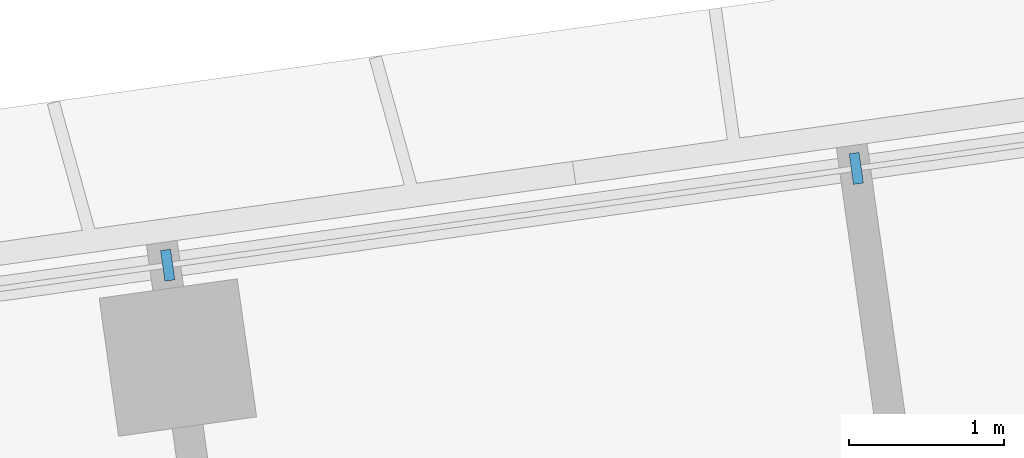
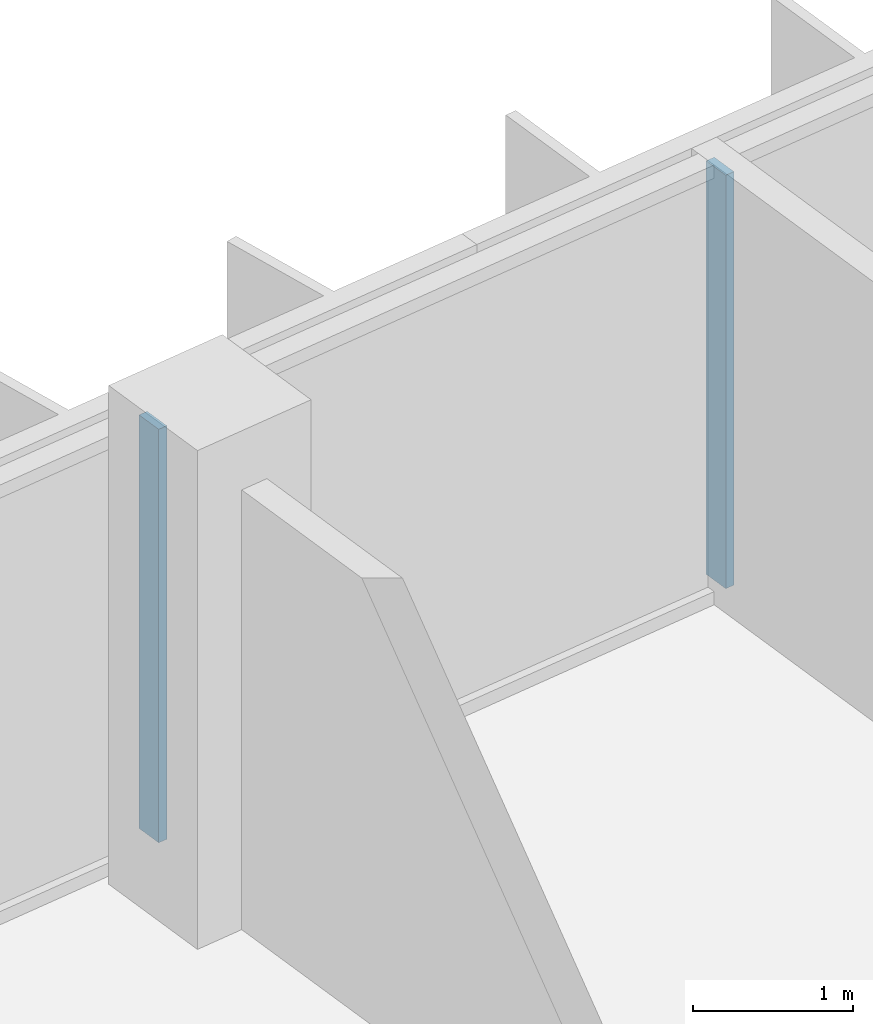
# One storey, part 8 of 24: 2 members, 1 element without a shape of its own.
"""IFC4 building model written with IfcOpenShell, lengths in metres."""

from ifc_helpers import new_model, si_unit, direction, frame, origin, origin_2d, place, context, subcontext, project, spatial, rectangle, extrude, material, material_profile, profile_set, type_object, element, aggregate, save


model = new_model("IFC4")

# Units and contexts
model_context = context("Model", 3, precision=1e-05, world=origin(), true_north=direction((0.0, 1.0)))
body_context = subcontext(model_context, "Body", "Model", "MODEL_VIEW")
ifc_project = project(units=[si_unit("LENGTHUNIT", "METRE"), si_unit("AREAUNIT", "SQUARE_METRE"), si_unit("VOLUMEUNIT", "CUBIC_METRE"), si_unit("PLANEANGLEUNIT", "RADIAN"), si_unit("MASSUNIT", "GRAM", prefix="KILO")], contexts=[model_context])

# Site, building, storey
site_placement = place(None, origin())
site = spatial("IfcSite", under=ifc_project, at=site_placement, CompositionType="ELEMENT")
building_placement = place(site_placement, origin())
building = spatial("IfcBuilding", under=site, at=building_placement, Name="Mirante Cascada Hotel Towers", CompositionType="ELEMENT")
storey_placement = place(building_placement, frame((0.0, 0.0, 110.1)))
storey = spatial("IfcBuildingStorey", under=building, at=storey_placement, Name="L24", CompositionType="ELEMENT", Elevation=110.1)

# Curtain wall, members
ifc_material_1 = material(Name="Aluminium mullion and transom frame with clear laminated glass", Category="aluminium")
curtain_wall_type = type_object("IfcCurtainWallType", Name="Ribbon curtain wall ECW1", PredefinedType="NOTDEFINED", material=ifc_material_1)
curtain_wall_placement = place(storey_placement, origin())
curtain_wall = element("IfcCurtainWall", 1, at=curtain_wall_placement, inside=storey, type_object=curtain_wall_type, Name="Front ribbon wall T2 L24", PredefinedType="NOTDEFINED")
ifc_material_2 = material(Name="Anodised aluminium extrusion", Category="aluminium")
ifc_material_profile = material_profile(ifc_material_2, rectangle(XDim=0.2, YDim=0.065, at=origin_2d()), Name="ECW1 MULLION 65x200")
ifc_profile_set = profile_set([ifc_material_profile], Name="Anodised aluminium extrusion")
member_type = type_object("IfcMemberType", Name="ECW1 mullion 65x200", PredefinedType="MULLION", material=ifc_profile_set)
member_1_placement = place(storey_placement, frame((58.5788, 21.0517, 0.1), z_axis=(0.0, 0.0, 1.0), x_axis=(0.1391731, -0.9902681, 0.0)))
member_1 = element("IfcMember", 2, at=member_1_placement, type_object=member_type, Name="ECW1 mullion 9", PredefinedType="MULLION", context=body_context, shape_type="SweptSolid", body=[
    extrude(rectangle(XDim=0.2, YDim=0.065, at=origin_2d()), origin(), (0.0, 0.0, 1.0), 3.15),
])
member_2_placement = place(storey_placement, frame((54.1314, 20.4267, 0.1), z_axis=(0.0, 0.0, 1.0), x_axis=(0.1391731, -0.9902681, 0.0)))
member_2 = element("IfcMember", 3, at=member_2_placement, type_object=member_type, Name="ECW1 mullion 10", PredefinedType="MULLION", context=body_context, shape_type="SweptSolid", body=[
    extrude(rectangle(XDim=0.2, YDim=0.065, at=origin_2d()), origin(), (0.0, 0.0, 1.0), 3.15),
])
aggregate(curtain_wall, [member_1, member_2])

save(model, "model.ifc")
